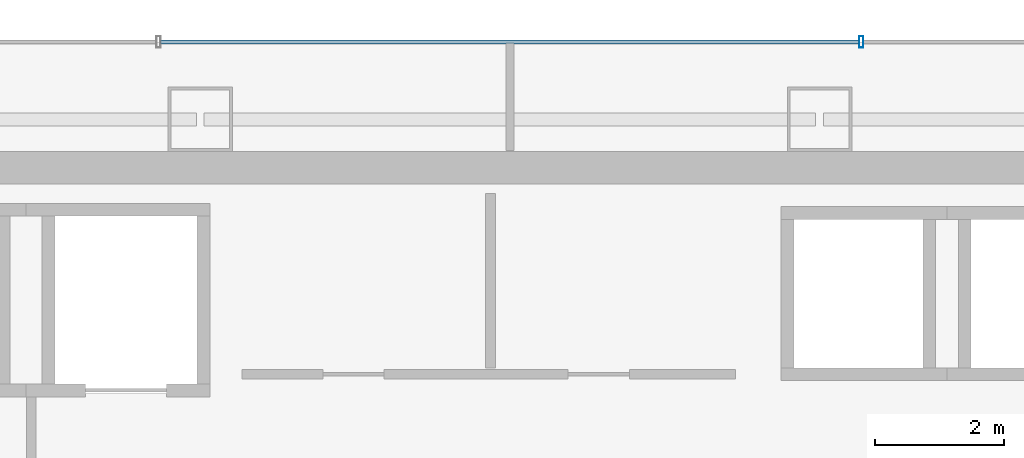
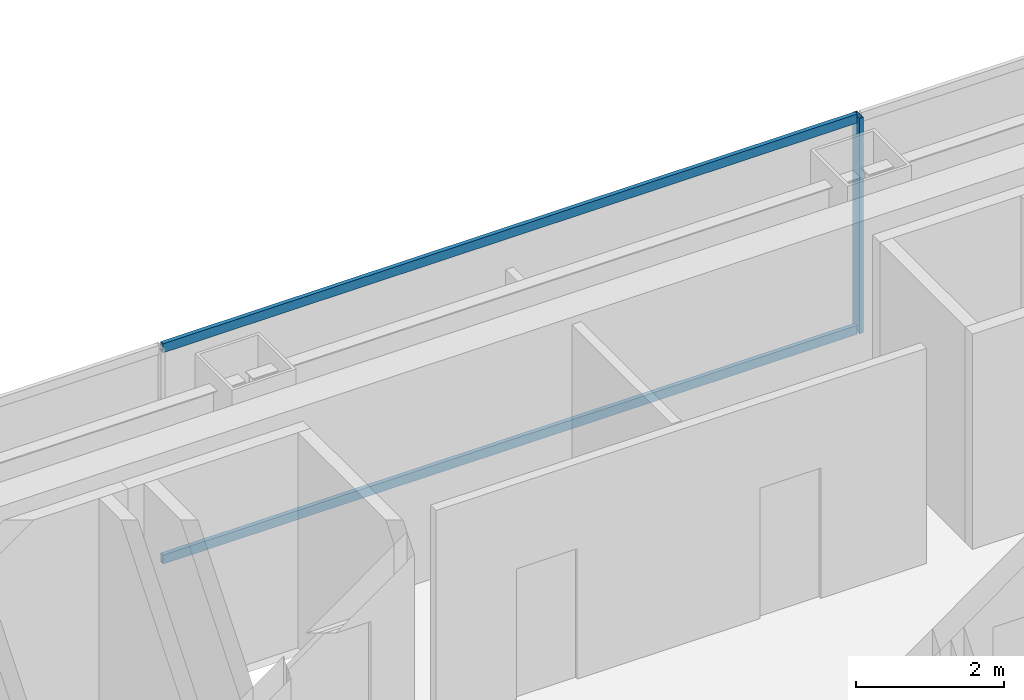
# One storey, part 25 of 38: 3 members, 1 element without a shape of its own.
"""IFC4 building model written with IfcOpenShell, lengths in metres."""

from ifc_helpers import new_model, si_unit, direction, frame, origin, origin_2d, place, context, subcontext, project, spatial, hollow_rectangle, extrude, material, material_profile, profile_set, type_object, element, aggregate, save


model = new_model("IFC4")

# Units and contexts
model_context = context("Model", 3, precision=1e-05, world=origin(), true_north=direction((0.0, 1.0)))
body_context = subcontext(model_context, "Body", "Model", "MODEL_VIEW")
ifc_project = project(units=[si_unit("LENGTHUNIT", "METRE"), si_unit("AREAUNIT", "SQUARE_METRE"), si_unit("VOLUMEUNIT", "CUBIC_METRE"), si_unit("PLANEANGLEUNIT", "RADIAN"), si_unit("MASSUNIT", "GRAM", prefix="KILO")], contexts=[model_context])

# Site, building, storey
site_placement = place(None, origin())
site = spatial("IfcSite", under=ifc_project, at=site_placement, CompositionType="ELEMENT")
building_placement = place(site_placement, origin())
building = spatial("IfcBuilding", under=site, at=building_placement, Name="Saevonmaru Cultural Tower", CompositionType="ELEMENT")
storey_placement = place(building_placement, frame((0.0, 0.0, 137.199951171875)))
storey = spatial("IfcBuildingStorey", under=building, at=storey_placement, Name="L29", CompositionType="ELEMENT", Elevation=137.199951171875)

# Curtain wall, members
ifc_material = material(Name="Satin Bronze Anodised Aluminium", Category="aluminium")
curtain_wall_type = type_object("IfcCurtainWallType", Name="CW-TYP-A", PredefinedType="NOTDEFINED", material=ifc_material)
curtain_wall_placement = place(storey_placement, origin())
curtain_wall = element("IfcCurtainWall", 1, at=curtain_wall_placement, inside=storey, type_object=curtain_wall_type, Name="L29 North Spine Unitised Curtain Wall E10B", PredefinedType="NOTDEFINED")
ifc_material_profile_1 = material_profile(ifc_material, hollow_rectangle(XDim=0.06494140625, YDim=0.179931640625, WallThickness=0.00390625, at=origin_2d()), Name="ALU-MULL-180x65x4")
ifc_profile_set_1 = profile_set([ifc_material_profile_1], Name="Satin Bronze Anodised Aluminium")
member_type_1 = type_object("IfcMemberType", Name="ML-CW-180x65", PredefinedType="MULLION", material=ifc_profile_set_1)
member_1_placement = place(storey_placement, frame((35.44677734375, 56.0, 0.0), z_axis=(0.0, 0.0, 1.0), x_axis=(-1.0, 0.0, 0.0)))
member_1 = element("IfcMember", 2, at=member_1_placement, type_object=member_type_1, Name="CW-TW-L29-E10B mullion 2", PredefinedType="MULLION", context=body_context, shape_type="SweptSolid", body=[
    extrude(hollow_rectangle(XDim=0.06494140625, YDim=0.179931640625, WallThickness=0.00390625, at=origin_2d()), origin(), (0.0, 0.0, 1.0), 3.550048828125),
])
ifc_material_profile_2 = material_profile(ifc_material, hollow_rectangle(XDim=0.06494140625, YDim=0.14990234375, WallThickness=0.00390625, at=origin_2d()), Name="ALU-TRAN-150x65x4")
ifc_profile_set_2 = profile_set([ifc_material_profile_2], Name="Satin Bronze Anodised Aluminium")
member_type_2 = type_object("IfcMemberType", Name="TR-CW-150x65", PredefinedType="USERDEFINED", material=ifc_profile_set_2)
member_2_placement = place(storey_placement, frame((35.4140625, 56.0, 0.032470703125), z_axis=(-1.0, 0.0, 0.0), x_axis=(0.0, -1.0, 0.0)))
member_2 = element("IfcMember", 3, at=member_2_placement, type_object=member_type_2, Name="CW-TW-L29-E10B transom 2.1", ObjectType="TRANSOM", PredefinedType="USERDEFINED", context=body_context, shape_type="SweptSolid", body=[
    extrude(hollow_rectangle(XDim=0.06494140625, YDim=0.14990234375, WallThickness=0.00390625, at=origin_2d()), origin(), (0.0, 0.0, 1.0), 10.828125),
])
member_3_placement = place(storey_placement, frame((35.4140625, 56.0, 3.517578125), z_axis=(-1.0, 0.0, 0.0), x_axis=(0.0, -1.0, 0.0)))
member_3 = element("IfcMember", 4, at=member_3_placement, type_object=member_type_2, Name="CW-TW-L29-E10B transom 2.2", ObjectType="TRANSOM", PredefinedType="USERDEFINED", context=body_context, shape_type="SweptSolid", body=[
    extrude(hollow_rectangle(XDim=0.06494140625, YDim=0.14990234375, WallThickness=0.00390625, at=origin_2d()), origin(), (0.0, 0.0, 1.0), 10.828125),
])
aggregate(curtain_wall, [member_1, member_2, member_3])

save(model, "model.ifc")
